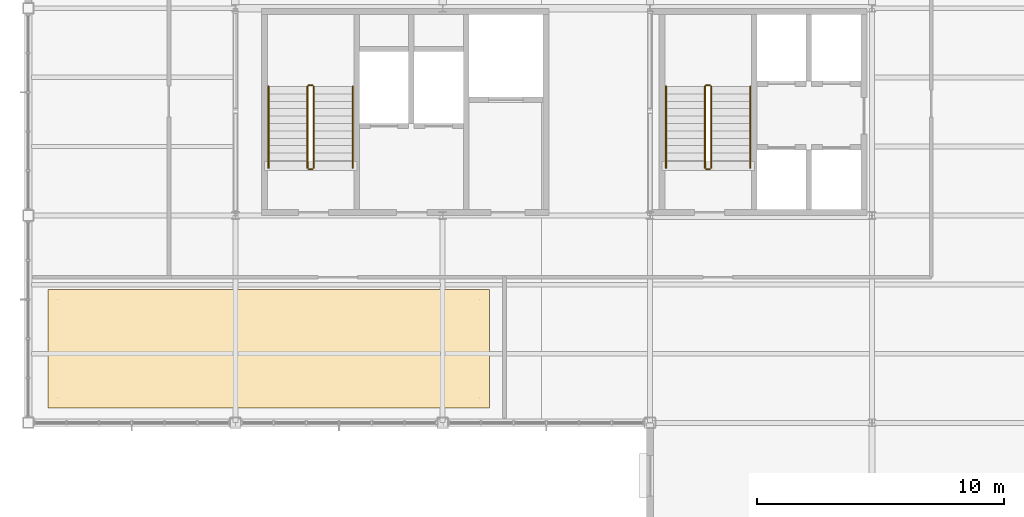
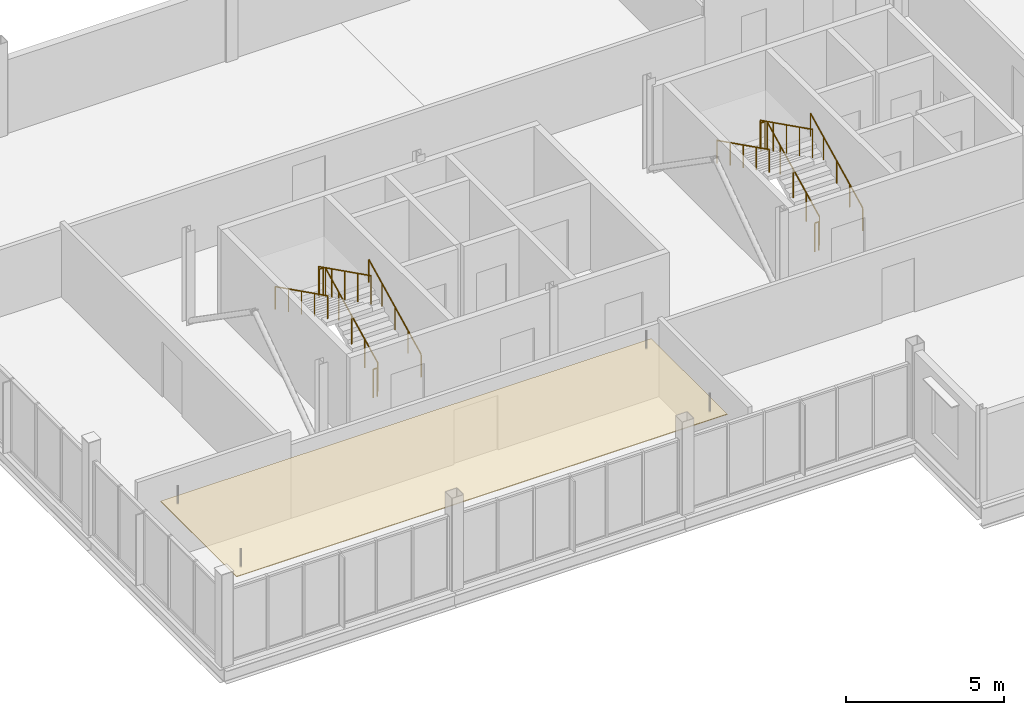
# One storey, part 18 of 19: 12 railings, 1 covering.
"""IFC4 building model written with IfcOpenShell, lengths in metres."""

from ifc_helpers import new_model, si_unit, direction, frame, origin, origin_2d, place, context, subcontext, project, spatial, polyline, circle, outline, extrude, material, layer, layer_set, type_object, element, save


model = new_model("IFC4")

# Units and contexts
model_context = context("Model", 3, precision=1e-05, world=origin(), true_north=direction((0.0, 1.0)))
body_context = subcontext(model_context, "Body", "Model", "MODEL_VIEW")
ifc_project = project(units=[si_unit("LENGTHUNIT", "METRE"), si_unit("AREAUNIT", "SQUARE_METRE"), si_unit("VOLUMEUNIT", "CUBIC_METRE"), si_unit("PLANEANGLEUNIT", "RADIAN"), si_unit("MASSUNIT", "GRAM", prefix="KILO")], contexts=[model_context])

# Site, building, storey
site_placement = place(None, origin())
site = spatial("IfcSite", under=ifc_project, at=site_placement, CompositionType="ELEMENT")
building_placement = place(site_placement, origin())
building = spatial("IfcBuilding", under=site, at=building_placement, Name="Yukiwa Park Conservatory and Herbarium", CompositionType="ELEMENT")
storey_placement = place(building_placement, frame((0.0, 0.0, 46.800048828125)))
storey = spatial("IfcBuildingStorey", under=building, at=storey_placement, Name="L12", CompositionType="ELEMENT", Elevation=46.800048828125)

# Covering
ifc_material_1 = material(Name="Acoustic Mineral Fibre Ceiling")
ifc_layer_1 = layer(ifc_material_1, 0.030029296875)
ifc_layer_set_1 = layer_set([ifc_layer_1], Name="Acoustic Mineral Fibre Ceiling")
covering_type = type_object("IfcCoveringType", Name="COV-CEIL-ACOUSTIC", PredefinedType="CEILING", material=ifc_layer_set_1)
covering_placement = place(storey_placement, frame((0.0, 0.0, 2.64990234375)))
element("IfcCovering", 1, at=covering_placement, inside=storey, type_object=covering_type, Name="L12 acoustic suspended ceiling CLG-L12-LIB", PredefinedType="CEILING", context=body_context, shape_type="SweptSolid", body=[
    extrude(outline(polyline([(125.60009765625, 87.0), (143.5, 87.0), (143.5, 91.800048828125), (125.60009765625, 91.800048828125), (125.60009765625, 87.0)])), origin(), (0.0, 0.0, 1.0), 0.030029296875),
])

# Railings
ifc_material_2 = material(Name="Steel Q235B", Category="steel")
ifc_layer_2 = layer(ifc_material_2, 0.050048828125)
ifc_layer_set_2 = layer_set([ifc_layer_2], Name="Steel Q235B")
railing_type_1 = type_object("IfcRailingType", Name="RL-STAIR-GUARD-1120", PredefinedType="BALUSTRADE", material=ifc_layer_set_2)
railing_1_placement = place(storey_placement, frame((136.3701171875, 96.72998046875, 0.14990234375)))
element("IfcRailing", 2, at=railing_1_placement, inside=storey, type_object=railing_type_1, Name="L12 ST-T1 stair guard 1", PredefinedType="BALUSTRADE", context=body_context, shape_type="SweptSolid", body=[
    extrude(circle(Radius=0.02392578125, at=origin_2d()), frame((0.0, 0.0, 1.09619140625), z_axis=(0.0, 0.894413956696, 0.447240063129), x_axis=(-1.0, 0.0, 0.0)), (0.0, 0.0, 1.0), 3.689697265625),
    extrude(circle(Radius=0.02099609375, at=origin_2d()), origin(), (0.0, 0.0, 1.0), 1.072021484375),
    extrude(circle(Radius=0.02099609375, at=origin_2d()), frame((0.0, 0.824951171875, 0.41259765625)), (0.0, 0.0, 1.0), 1.072021484375),
    extrude(circle(Radius=0.02099609375, at=origin_2d()), frame((0.0, 1.64990234375, 0.8251953125)), (0.0, 0.0, 1.0), 1.072021484375),
    extrude(circle(Radius=0.02099609375, at=origin_2d()), frame((0.0, 2.47509765625, 1.237548828125)), (0.0, 0.0, 1.0), 1.072021484375),
    extrude(circle(Radius=0.02099609375, at=origin_2d()), frame((0.0, 3.300048828125, 1.650146484375)), (0.0, 0.0, 1.0), 1.072021484375),
])
railing_2_placement = place(storey_placement, frame((136.320068359375, 100.080078125, 1.800048828125)))
element("IfcRailing", 3, at=railing_2_placement, inside=storey, type_object=railing_type_1, Name="L12 ST-T1 stair guard 2", PredefinedType="BALUSTRADE", context=body_context, shape_type="SweptSolid", body=[
    extrude(circle(Radius=0.02392578125, at=origin_2d()), frame((0.0, 0.0, 1.09619140625), z_axis=(-1.0, 0.0, 0.0), x_axis=(0.0, -1.0, 0.0)), (0.0, 0.0, 1.0), 0.150146484375),
    extrude(circle(Radius=0.02099609375, at=origin_2d()), origin(), (0.0, 0.0, 1.0), 1.072021484375),
    extrude(circle(Radius=0.02099609375, at=origin_2d()), frame((-0.150146484375, 0.0, 0.0)), (0.0, 0.0, 1.0), 1.072021484375),
])
railing_3_placement = place(storey_placement, frame((136.1201171875, 100.030029296875, 1.949951171875)))
element("IfcRailing", 4, at=railing_3_placement, inside=storey, type_object=railing_type_1, Name="L12 ST-T1 stair guard 3", PredefinedType="BALUSTRADE", context=body_context, shape_type="SweptSolid", body=[
    extrude(circle(Radius=0.02392578125, at=origin_2d()), frame((0.0, 0.0, 1.09619140625), z_axis=(0.0, -0.894440424912, 0.447187126696), x_axis=(1.0, 0.0, 0.0)), (0.0, 0.0, 1.0), 3.689453125),
    extrude(circle(Radius=0.02099609375, at=origin_2d()), origin(), (0.0, 0.0, 1.0), 1.072021484375),
    extrude(circle(Radius=0.02099609375, at=origin_2d()), frame((0.0, -0.824951171875, 0.41259765625)), (0.0, 0.0, 1.0), 1.072021484375),
    extrude(circle(Radius=0.02099609375, at=origin_2d()), frame((0.0, -1.64990234375, 0.824951171875)), (0.0, 0.0, 1.0), 1.072021484375),
    extrude(circle(Radius=0.02099609375, at=origin_2d()), frame((0.0, -2.47509765625, 1.2373046875)), (0.0, 0.0, 1.0), 1.072021484375),
    extrude(circle(Radius=0.02099609375, at=origin_2d()), frame((0.0, -3.300048828125, 1.64990234375)), (0.0, 0.0, 1.0), 1.072021484375),
])
railing_4_placement = place(storey_placement, frame((136.320068359375, 96.679931640625, 0.0)))
element("IfcRailing", 5, at=railing_4_placement, inside=storey, type_object=railing_type_1, Name="L12 ST-T1 stair guard 4", PredefinedType="BALUSTRADE", context=body_context, shape_type="SweptSolid", body=[
    extrude(circle(Radius=0.02392578125, at=origin_2d()), frame((0.0, 0.0, 1.09619140625), z_axis=(-1.0, 0.0, 0.0), x_axis=(0.0, -1.0, 0.0)), (0.0, 0.0, 1.0), 0.150146484375),
    extrude(circle(Radius=0.02099609375, at=origin_2d()), origin(), (0.0, 0.0, 1.0), 1.072021484375),
    extrude(circle(Radius=0.02099609375, at=origin_2d()), frame((-0.150146484375, 0.0, 0.0)), (0.0, 0.0, 1.0), 1.072021484375),
])
railing_5_placement = place(storey_placement, frame((152.47998046875, 96.72998046875, 0.14990234375)))
element("IfcRailing", 6, at=railing_5_placement, inside=storey, type_object=railing_type_1, Name="L12 ST-T2 stair guard 1", PredefinedType="BALUSTRADE", context=body_context, shape_type="SweptSolid", body=[
    extrude(circle(Radius=0.02392578125, at=origin_2d()), frame((0.0, 0.0, 1.09619140625), z_axis=(0.0, 0.894413956696, 0.447240063129), x_axis=(-1.0, 0.0, 0.0)), (0.0, 0.0, 1.0), 3.689697265625),
    extrude(circle(Radius=0.02099609375, at=origin_2d()), origin(), (0.0, 0.0, 1.0), 1.072021484375),
    extrude(circle(Radius=0.02099609375, at=origin_2d()), frame((0.0, 0.824951171875, 0.41259765625)), (0.0, 0.0, 1.0), 1.072021484375),
    extrude(circle(Radius=0.02099609375, at=origin_2d()), frame((0.0, 1.64990234375, 0.8251953125)), (0.0, 0.0, 1.0), 1.072021484375),
    extrude(circle(Radius=0.02099609375, at=origin_2d()), frame((0.0, 2.47509765625, 1.237548828125)), (0.0, 0.0, 1.0), 1.072021484375),
    extrude(circle(Radius=0.02099609375, at=origin_2d()), frame((0.0, 3.300048828125, 1.650146484375)), (0.0, 0.0, 1.0), 1.072021484375),
])
railing_6_placement = place(storey_placement, frame((152.429931640625, 100.080078125, 1.800048828125)))
element("IfcRailing", 7, at=railing_6_placement, inside=storey, type_object=railing_type_1, Name="L12 ST-T2 stair guard 2", PredefinedType="BALUSTRADE", context=body_context, shape_type="SweptSolid", body=[
    extrude(circle(Radius=0.02392578125, at=origin_2d()), frame((0.0, 0.0, 1.09619140625), z_axis=(-1.0, 0.0, 0.0), x_axis=(0.0, -1.0, 0.0)), (0.0, 0.0, 1.0), 0.14990234375),
    extrude(circle(Radius=0.02099609375, at=origin_2d()), origin(), (0.0, 0.0, 1.0), 1.072021484375),
    extrude(circle(Radius=0.02099609375, at=origin_2d()), frame((-0.14990234375, 0.0, 0.0)), (0.0, 0.0, 1.0), 1.072021484375),
])
railing_7_placement = place(storey_placement, frame((152.22998046875, 100.030029296875, 1.949951171875)))
element("IfcRailing", 8, at=railing_7_placement, inside=storey, type_object=railing_type_1, Name="L12 ST-T2 stair guard 3", PredefinedType="BALUSTRADE", context=body_context, shape_type="SweptSolid", body=[
    extrude(circle(Radius=0.02392578125, at=origin_2d()), frame((0.0, 0.0, 1.09619140625), z_axis=(0.0, -0.894440424912, 0.447187126696), x_axis=(1.0, 0.0, 0.0)), (0.0, 0.0, 1.0), 3.689453125),
    extrude(circle(Radius=0.02099609375, at=origin_2d()), origin(), (0.0, 0.0, 1.0), 1.072021484375),
    extrude(circle(Radius=0.02099609375, at=origin_2d()), frame((0.0, -0.824951171875, 0.41259765625)), (0.0, 0.0, 1.0), 1.072021484375),
    extrude(circle(Radius=0.02099609375, at=origin_2d()), frame((0.0, -1.64990234375, 0.824951171875)), (0.0, 0.0, 1.0), 1.072021484375),
    extrude(circle(Radius=0.02099609375, at=origin_2d()), frame((0.0, -2.47509765625, 1.2373046875)), (0.0, 0.0, 1.0), 1.072021484375),
    extrude(circle(Radius=0.02099609375, at=origin_2d()), frame((0.0, -3.300048828125, 1.64990234375)), (0.0, 0.0, 1.0), 1.072021484375),
])
railing_8_placement = place(storey_placement, frame((152.429931640625, 96.679931640625, 0.0)))
element("IfcRailing", 9, at=railing_8_placement, inside=storey, type_object=railing_type_1, Name="L12 ST-T2 stair guard 4", PredefinedType="BALUSTRADE", context=body_context, shape_type="SweptSolid", body=[
    extrude(circle(Radius=0.02392578125, at=origin_2d()), frame((0.0, 0.0, 1.09619140625), z_axis=(-1.0, 0.0, 0.0), x_axis=(0.0, -1.0, 0.0)), (0.0, 0.0, 1.0), 0.14990234375),
    extrude(circle(Radius=0.02099609375, at=origin_2d()), origin(), (0.0, 0.0, 1.0), 1.072021484375),
    extrude(circle(Radius=0.02099609375, at=origin_2d()), frame((-0.14990234375, 0.0, 0.0)), (0.0, 0.0, 1.0), 1.072021484375),
])
ifc_material_3 = material(Name="Steel Q235B", Category="steel")
ifc_layer_3 = layer(ifc_material_3, 0.044921875)
ifc_layer_set_3 = layer_set([ifc_layer_3], Name="Steel Q235B")
railing_type_2 = type_object("IfcRailingType", Name="RL-STAIR-RAIL-900", PredefinedType="HANDRAIL", material=ifc_layer_set_3)
railing_9_placement = place(storey_placement, frame((137.949951171875, 96.72998046875, 0.14990234375)))
element("IfcRailing", 10, at=railing_9_placement, inside=storey, type_object=railing_type_2, Name="L12 ST-T1 stair handrail 1", PredefinedType="HANDRAIL", context=body_context, shape_type="SweptSolid", body=[
    extrude(circle(Radius=0.02392578125, at=origin_2d()), frame((0.0, 0.0, 0.8759765625), z_axis=(0.0, 0.894413956696, 0.447240063129), x_axis=(-1.0, 0.0, 0.0)), (0.0, 0.0, 1.0), 3.689697265625),
    extrude(circle(Radius=0.02099609375, at=origin_2d()), origin(), (0.0, 0.0, 1.0), 0.851806640625),
    extrude(circle(Radius=0.02099609375, at=origin_2d()), frame((0.0, 0.824951171875, 0.41259765625)), (0.0, 0.0, 1.0), 0.851806640625),
    extrude(circle(Radius=0.02099609375, at=origin_2d()), frame((0.0, 1.64990234375, 0.8251953125)), (0.0, 0.0, 1.0), 0.851806640625),
    extrude(circle(Radius=0.02099609375, at=origin_2d()), frame((0.0, 2.47509765625, 1.237548828125)), (0.0, 0.0, 1.0), 0.851806640625),
    extrude(circle(Radius=0.02099609375, at=origin_2d()), frame((0.0, 3.300048828125, 1.650146484375)), (0.0, 0.0, 1.0), 0.851806640625),
])
railing_10_placement = place(storey_placement, frame((134.5400390625, 100.030029296875, 1.949951171875)))
element("IfcRailing", 11, at=railing_10_placement, inside=storey, type_object=railing_type_2, Name="L12 ST-T1 stair handrail 2", PredefinedType="HANDRAIL", context=body_context, shape_type="SweptSolid", body=[
    extrude(circle(Radius=0.02392578125, at=origin_2d()), frame((0.0, 0.0, 0.8759765625), z_axis=(0.0, -0.894440424912, 0.447187126696), x_axis=(1.0, 0.0, 0.0)), (0.0, 0.0, 1.0), 3.689453125),
    extrude(circle(Radius=0.02099609375, at=origin_2d()), origin(), (0.0, 0.0, 1.0), 0.851806640625),
    extrude(circle(Radius=0.02099609375, at=origin_2d()), frame((0.0, -0.824951171875, 0.41259765625)), (0.0, 0.0, 1.0), 0.851806640625),
    extrude(circle(Radius=0.02099609375, at=origin_2d()), frame((0.0, -1.64990234375, 0.824951171875)), (0.0, 0.0, 1.0), 0.851806640625),
    extrude(circle(Radius=0.02099609375, at=origin_2d()), frame((0.0, -2.47509765625, 1.2373046875)), (0.0, 0.0, 1.0), 0.851806640625),
    extrude(circle(Radius=0.02099609375, at=origin_2d()), frame((0.0, -3.300048828125, 1.64990234375)), (0.0, 0.0, 1.0), 0.851806640625),
])
railing_11_placement = place(storey_placement, frame((154.06005859375, 96.72998046875, 0.14990234375)))
element("IfcRailing", 12, at=railing_11_placement, inside=storey, type_object=railing_type_2, Name="L12 ST-T2 stair handrail 1", PredefinedType="HANDRAIL", context=body_context, shape_type="SweptSolid", body=[
    extrude(circle(Radius=0.02392578125, at=origin_2d()), frame((0.0, 0.0, 0.8759765625), z_axis=(0.0, 0.894413956696, 0.447240063129), x_axis=(-1.0, 0.0, 0.0)), (0.0, 0.0, 1.0), 3.689697265625),
    extrude(circle(Radius=0.02099609375, at=origin_2d()), origin(), (0.0, 0.0, 1.0), 0.851806640625),
    extrude(circle(Radius=0.02099609375, at=origin_2d()), frame((0.0, 0.824951171875, 0.41259765625)), (0.0, 0.0, 1.0), 0.851806640625),
    extrude(circle(Radius=0.02099609375, at=origin_2d()), frame((0.0, 1.64990234375, 0.8251953125)), (0.0, 0.0, 1.0), 0.851806640625),
    extrude(circle(Radius=0.02099609375, at=origin_2d()), frame((0.0, 2.47509765625, 1.237548828125)), (0.0, 0.0, 1.0), 0.851806640625),
    extrude(circle(Radius=0.02099609375, at=origin_2d()), frame((0.0, 3.300048828125, 1.650146484375)), (0.0, 0.0, 1.0), 0.851806640625),
])
railing_12_placement = place(storey_placement, frame((150.64990234375, 100.030029296875, 1.949951171875)))
element("IfcRailing", 13, at=railing_12_placement, inside=storey, type_object=railing_type_2, Name="L12 ST-T2 stair handrail 2", PredefinedType="HANDRAIL", context=body_context, shape_type="SweptSolid", body=[
    extrude(circle(Radius=0.02392578125, at=origin_2d()), frame((0.0, 0.0, 0.8759765625), z_axis=(0.0, -0.894440424912, 0.447187126696), x_axis=(1.0, 0.0, 0.0)), (0.0, 0.0, 1.0), 3.689453125),
    extrude(circle(Radius=0.02099609375, at=origin_2d()), origin(), (0.0, 0.0, 1.0), 0.851806640625),
    extrude(circle(Radius=0.02099609375, at=origin_2d()), frame((0.0, -0.824951171875, 0.41259765625)), (0.0, 0.0, 1.0), 0.851806640625),
    extrude(circle(Radius=0.02099609375, at=origin_2d()), frame((0.0, -1.64990234375, 0.824951171875)), (0.0, 0.0, 1.0), 0.851806640625),
    extrude(circle(Radius=0.02099609375, at=origin_2d()), frame((0.0, -2.47509765625, 1.2373046875)), (0.0, 0.0, 1.0), 0.851806640625),
    extrude(circle(Radius=0.02099609375, at=origin_2d()), frame((0.0, -3.300048828125, 1.64990234375)), (0.0, 0.0, 1.0), 0.851806640625),
])

save(model, "model.ifc")
